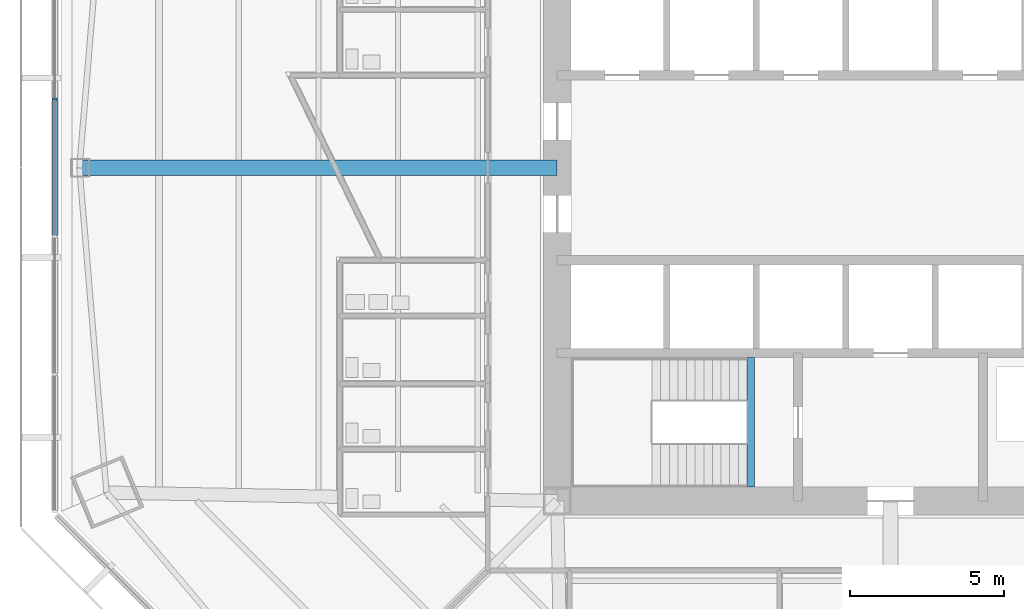
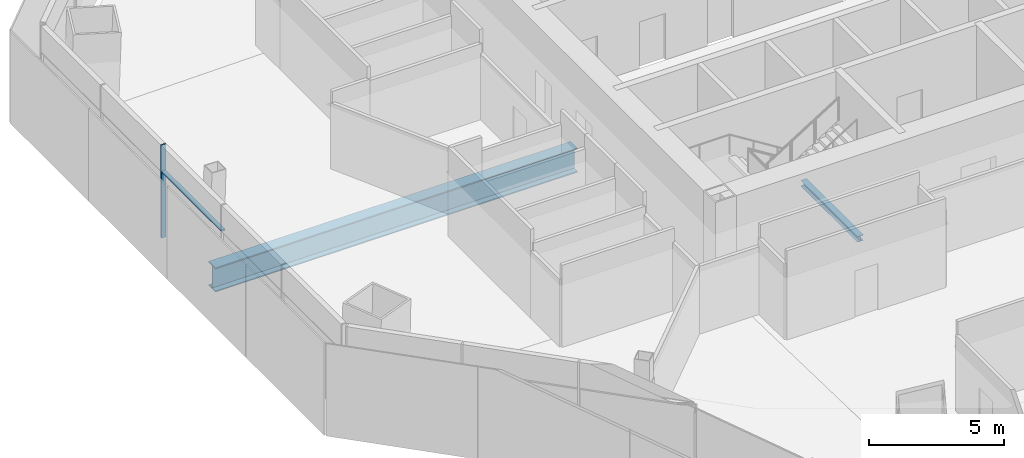
# One storey, part 3 of 14: 2 beams, 2 members, 1 element without a shape of its own.
"""IFC4 building model written with IfcOpenShell, lengths in metres."""

from ifc_helpers import new_model, si_unit, direction, frame, origin, origin_2d, place, context, subcontext, project, spatial, rectangle, i_section, extrude, source, transform, mapped, material, material_profile, profile_set, type_object, type_shapes, element, aggregate, save


model = new_model("IFC4")

# Units and contexts
model_context = context("Model", 3, precision=1e-05, world=origin(), true_north=direction((0.0, 1.0)))
body_context = subcontext(model_context, "Body", "Model", "MODEL_VIEW")
ifc_project = project(units=[si_unit("LENGTHUNIT", "METRE"), si_unit("AREAUNIT", "SQUARE_METRE"), si_unit("VOLUMEUNIT", "CUBIC_METRE"), si_unit("PLANEANGLEUNIT", "RADIAN"), si_unit("MASSUNIT", "GRAM", prefix="KILO")], contexts=[model_context])

# Site, building, storey
site_placement = place(None, origin())
site = spatial("IfcSite", under=ifc_project, at=site_placement, CompositionType="ELEMENT")
building_placement = place(site_placement, origin())
building = spatial("IfcBuilding", under=site, at=building_placement, Name="Mashrafa Tower", CompositionType="ELEMENT")
storey_placement = place(building_placement, frame((0.0, 0.0, 33.0)))
storey = spatial("IfcBuildingStorey", under=building, at=storey_placement, Name="L06", CompositionType="ELEMENT", Elevation=33.0)

# Beams
ifc_material_1 = material(Name="Steel ASTM A572 Gr 50", Category="steel")
ifc_material_profile_1 = material_profile(ifc_material_1, i_section(OverallWidth=0.5, OverallDepth=1.10009765625, WebThickness=0.02490234375, FlangeThickness=0.050048828125, at=origin_2d()), Name="H1100X500X25X50")
ifc_profile_set_1 = profile_set([ifc_material_profile_1], Name="Steel ASTM A572 Gr 50")
beam_type_1 = type_object("IfcBeamType", Name="Beam H1100X500X25X50", PredefinedType="BEAM", material=ifc_profile_set_1)
beam_1_placement = place(storey_placement, frame((-10.800048828125, 0.0, -0.715087890625), z_axis=(-1.0, 0.0, 0.0), x_axis=(0.0, -1.0, 0.0)))
element("IfcBeam", 1, at=beam_1_placement, inside=storey, type_object=beam_type_1, Name="Radial girder L06 068", PredefinedType="BEAM", context=body_context, shape_type="SweptSolid", body=[
    extrude(i_section(OverallWidth=0.5, OverallDepth=1.10009765625, WebThickness=0.02490234375, FlangeThickness=0.050048828125, at=origin_2d()), origin(), (0.0, 0.0, 1.0), 15.48583984375),
])
ifc_material_2 = material(Name="Steel ASTM A992", Category="steel")
ifc_material_profile_2 = material_profile(ifc_material_2, i_section(OverallWidth=0.25390625, OverallDepth=0.25390625, WebThickness=0.008544921875, FlangeThickness=0.01416015625, FilletRadius=0.010009765625, at=origin_2d()), Name="W10X49")
ifc_profile_set_2 = profile_set([ifc_material_profile_2], Name="Steel ASTM A992")
beam_type_2 = type_object("IfcBeamType", Name="Hoistway beam W10X49", PredefinedType="BEAM", material=ifc_profile_set_2)
beam_2_placement = place(storey_placement, frame((-4.530029296875, -10.35009765625, -0.326904296875), z_axis=(0.0, 1.0, 0.0), x_axis=(-1.0, 0.0, 0.0)))
element("IfcBeam", 2, at=beam_2_placement, inside=storey, type_object=beam_type_2, Name="Stair S3 landing beam L06", PredefinedType="BEAM", context=body_context, shape_type="SweptSolid", body=[
    extrude(i_section(OverallWidth=0.25390625, OverallDepth=0.25390625, WebThickness=0.008544921875, FlangeThickness=0.01416015625, FilletRadius=0.010009765625, at=origin_2d()), origin(), (0.0, 0.0, 1.0), 4.2001953125),
])

# Curtain wall, members
ifc_material_3 = material(Name="Unitised aluminium curtain wall", Category="aluminium")
curtain_wall_type = type_object("IfcCurtainWallType", Name="Office curtain wall, zone 1 CW-A 200 deep", PredefinedType="NOTDEFINED", material=ifc_material_3)
curtain_wall_placement = place(storey_placement, origin())
curtain_wall = element("IfcCurtainWall", 3, at=curtain_wall_placement, inside=storey, type_object=curtain_wall_type, Name="Office curtain wall, zone 1 L06 west", PredefinedType="NOTDEFINED")
ifc_material_4 = material(Name="Extruded aluminium mullion", Category="aluminium")
ifc_material_profile_3 = material_profile(ifc_material_4, rectangle(XDim=0.199951171875, YDim=0.06494140625, at=origin_2d()), Name="Mullion 65x200")
ifc_profile_set_3 = profile_set([ifc_material_profile_3], Name="Extruded aluminium mullion")
member_type_1 = type_object("IfcMemberType", Name="Mullion CW-A 65 x 200", PredefinedType="MULLION", material=ifc_profile_set_3)
shared_shape_1 = source(origin(), body_context, "Body", "SweptSolid", [
    extrude(rectangle(XDim=0.199951171875, YDim=0.06494140625, at=origin_2d()), origin(), (0.0, 0.0, 1.0), 4.199951171875),
])
type_shapes(member_type_1, [shared_shape_1])
member_1_placement = place(storey_placement, frame((-27.081298828125, 2.233154296875, 0.0), z_axis=(0.0, 0.0, 1.0), x_axis=(1.0, 0.0, 0.0)))
member_1 = element("IfcMember", 4, at=member_1_placement, type_object=member_type_1, Name="CW-A mullion 3", PredefinedType="MULLION", context=body_context, shape_type="MappedRepresentation", body=[
    mapped(shared_shape_1, transform((0.0, 0.0, 0.0))),
])
ifc_material_5 = material(Name="Extruded aluminium transom", Category="aluminium")
ifc_material_profile_4 = material_profile(ifc_material_5, rectangle(XDim=0.159912109375, YDim=0.080078125, at=origin_2d()), Name="Transom 80x160")
ifc_profile_set_4 = profile_set([ifc_material_profile_4], Name="Extruded aluminium transom")
member_type_2 = type_object("IfcMemberType", Name="Transom CW-A 80 x 160", PredefinedType="MULLION", material=ifc_profile_set_4)
shared_shape_2 = source(origin(), body_context, "Body", "SweptSolid", [
    extrude(rectangle(XDim=0.159912109375, YDim=0.080078125, at=origin_2d()), origin(), (0.0, 0.0, 1.0), 4.4013671875),
])
type_shapes(member_type_2, [shared_shape_2])
member_2_placement = place(storey_placement, frame((-27.081298828125, 2.20068359375, 3.0), z_axis=(0.0, -1.0, 0.0), x_axis=(1.0, 0.0, 0.0)))
member_2 = element("IfcMember", 5, at=member_2_placement, type_object=member_type_2, Name="CW-A transom 3", PredefinedType="MULLION", context=body_context, shape_type="MappedRepresentation", body=[
    mapped(shared_shape_2, transform((0.0, 0.0, 0.0))),
])
aggregate(curtain_wall, [member_1, member_2])

save(model, "model.ifc")
